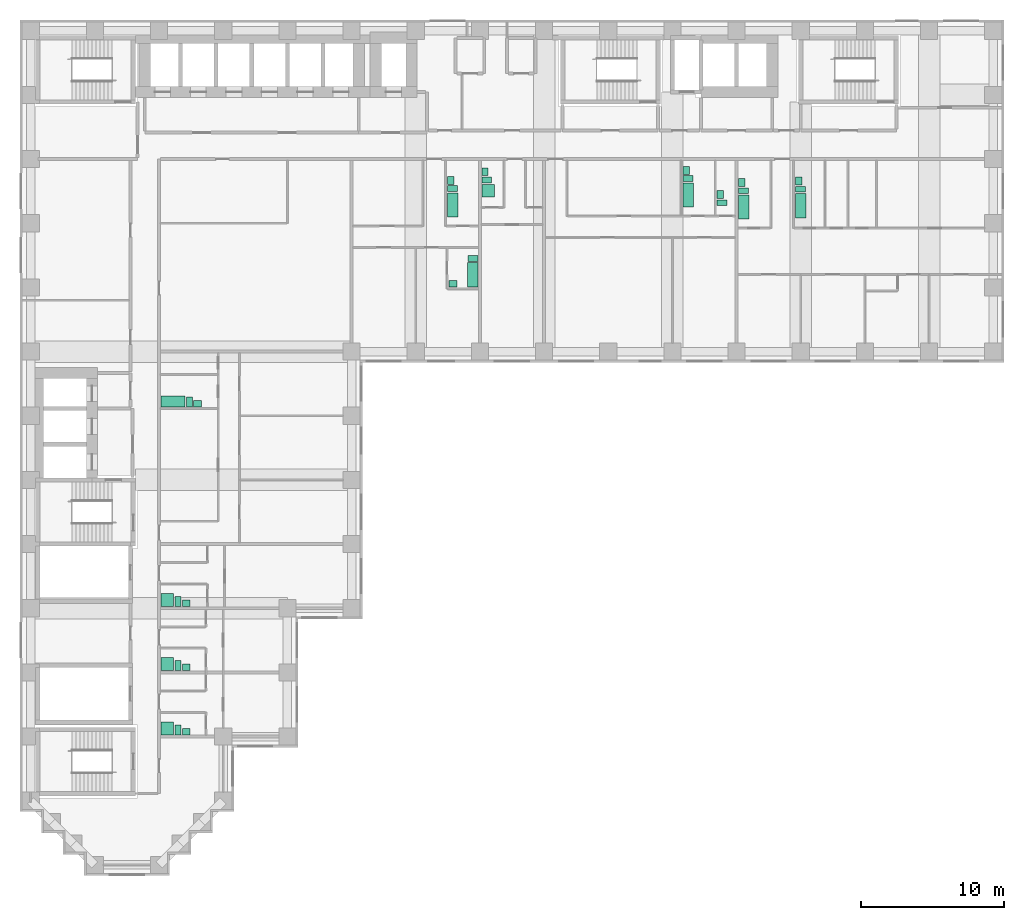
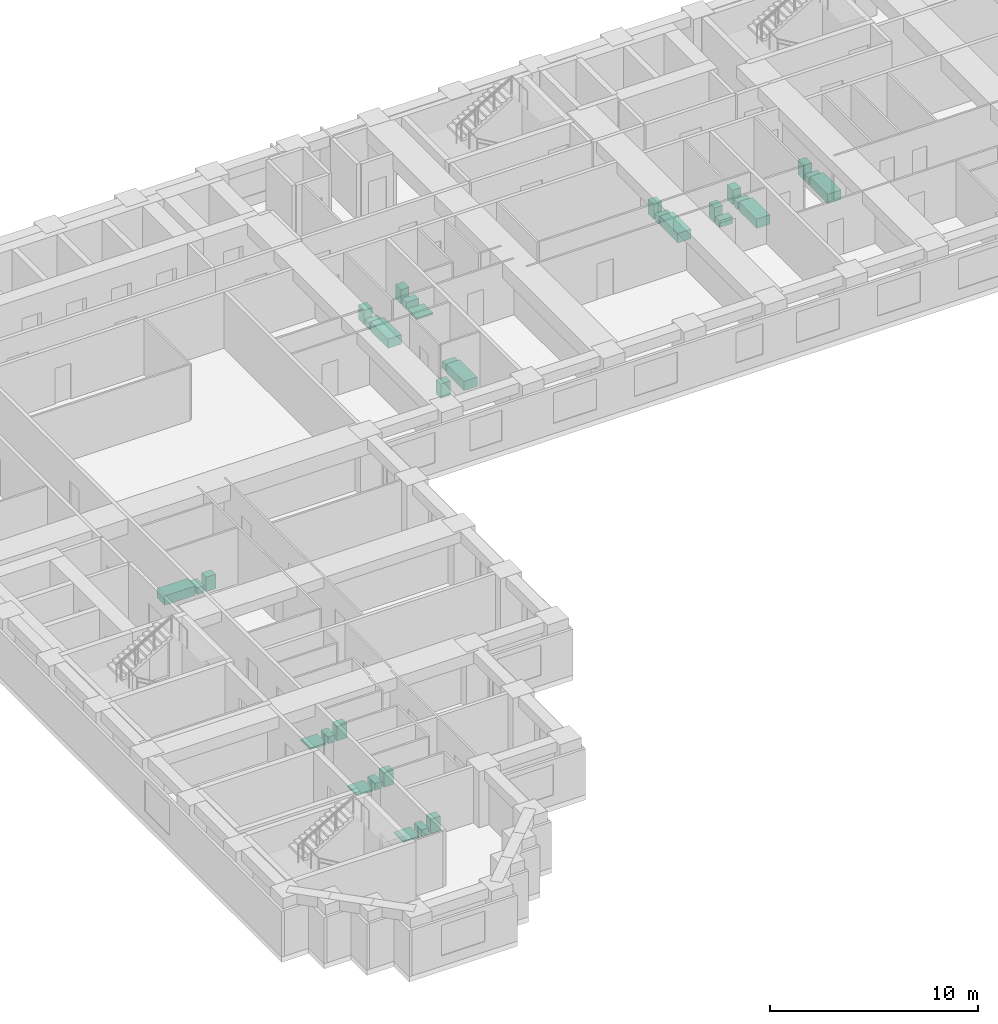
# One storey, part 11 of 11: 32 sanitary terminals.
"""IFC4 building model written with IfcOpenShell, lengths in metres."""

from ifc_helpers import new_model, si_unit, direction, frame, origin, origin_2d, place, context, subcontext, project, spatial, rectangle, extrude, material, type_object, element, save


model = new_model("IFC4")

# Units and contexts
model_context = context("Model", 3, precision=1e-05, world=origin(), true_north=direction((0.0, 1.0)))
body_context = subcontext(model_context, "Body", "Model", "MODEL_VIEW")
ifc_project = project(units=[si_unit("LENGTHUNIT", "METRE"), si_unit("AREAUNIT", "SQUARE_METRE"), si_unit("VOLUMEUNIT", "CUBIC_METRE"), si_unit("PLANEANGLEUNIT", "RADIAN"), si_unit("MASSUNIT", "GRAM", prefix="KILO")], contexts=[model_context])

# Site, building, storey
site_placement = place(None, origin())
site = spatial("IfcSite", under=ifc_project, at=site_placement, CompositionType="ELEMENT")
building_placement = place(site_placement, origin())
building = spatial("IfcBuilding", under=site, at=building_placement, Name="Firuza Court", CompositionType="ELEMENT")
storey_placement = place(building_placement, frame((0.0, 0.0, 79.39990234375)))
storey = spatial("IfcBuildingStorey", under=building, at=storey_placement, Name="L19", CompositionType="ELEMENT", Elevation=79.39990234375)

# Sanitary terminals
ifc_material_1 = material(Name="Vitreous china", Category="ceramic")
sanitary_terminal_type_1 = type_object("IfcSanitaryTerminalType", Name="Fixture Bath", PredefinedType="BATH", material=ifc_material_1)
for number, where, z_axis, x_axis, name in (
    (1, (29.60498046875, 46.280029296875, 0.0), (0.0, 0.0, 1.0), (1.0, 0.0, 0.0), "Bath"),
    (2, (30.9951171875, 41.3798828125, 0.0), (0.0, 0.0, 1.0), (1.0, 0.0, 0.0), "Bath"),
    (3, (46.10498046875, 46.97998046875, 0.0), (0.0, 0.0, 1.0), (1.0, 0.0, 0.0), "Bath"),
    (4, (50.0048828125, 46.1298828125, 0.0), (0.0, 0.0, 1.0), (1.0, 0.0, 0.0), "Bath"),
    (5, (54.0048828125, 46.22998046875, 0.0), (0.0, 0.0, 1.0), (1.0, 0.0, 0.0), "Bath"),
):
    element("IfcSanitaryTerminal", number, at=place(storey_placement, frame(where, z_axis=z_axis, x_axis=x_axis)), inside=storey, type_object=sanitary_terminal_type_1, Name=name, PredefinedType="BATH", context=body_context, shape_type="SweptSolid", body=[
        extrude(rectangle(XDim=0.75, YDim=1.699951171875, at=origin_2d()), origin(), (0.0, 0.0, 1.0), 0.550048828125),
    ])
sanitary_terminal_1_placement = place(storey_placement, frame((9.97998046875, 32.5048828125, 0.0), z_axis=(0.0, 0.0, 1.0), x_axis=(1.0, 0.0, 0.0)))
element("IfcSanitaryTerminal", 6, at=sanitary_terminal_1_placement, inside=storey, type_object=sanitary_terminal_type_1, Name="Bath", PredefinedType="BATH", context=body_context, shape_type="SweptSolid", body=[
    extrude(rectangle(XDim=1.699951171875, YDim=0.75, at=origin_2d()), origin(), (0.0, 0.0, 1.0), 0.550048828125),
])
ifc_material_2 = material(Name="Vitreous china", Category="ceramic")
sanitary_terminal_type_2 = type_object("IfcSanitaryTerminalType", Name="Fixture Shower tray", PredefinedType="SHOWER", material=ifc_material_2)
for number, where, z_axis, x_axis, name in (
    (7, (32.080078125, 47.280029296875, 0.0), (0.0, 0.0, 1.0), (1.0, 0.0, 0.0), "Shower tray"),
    (8, (9.580078125, 18.580078125, 0.0), (0.0, 0.0, 1.0), (1.0, 0.0, 0.0), "Shower tray"),
    (9, (9.580078125, 14.080078125, 0.0), (0.0, 0.0, 1.0), (1.0, 0.0, 0.0), "Shower tray"),
    (10, (9.580078125, 9.580078125, 0.0), (0.0, 0.0, 1.0), (1.0, 0.0, 0.0), "Shower tray"),
):
    element("IfcSanitaryTerminal", number, at=place(storey_placement, frame(where, z_axis=z_axis, x_axis=x_axis)), inside=storey, type_object=sanitary_terminal_type_2, Name=name, PredefinedType="SHOWER", context=body_context, shape_type="SweptSolid", body=[
        extrude(rectangle(XDim=0.89990234375, YDim=0.89990234375, at=origin_2d()), origin(), (0.0, 0.0, 1.0), 0.10009765625),
    ])
ifc_material_3 = material(Name="Vitreous china", Category="ceramic")
sanitary_terminal_type_3 = type_object("IfcSanitaryTerminalType", Name="Fixture WC pan", PredefinedType="TOILETPAN", material=ifc_material_3)
for number, where, z_axis, x_axis, name in (
    (11, (29.580078125, 47.429931640625, 0.000244140625), (0.0, 0.0, 1.0), (1.0, 0.0, 0.0), "WC pan"),
    (12, (31.02001953125, 42.530029296875, 0.000244140625), (0.0, 0.0, 1.0), (1.0, 0.0, 0.0), "WC pan"),
    (13, (31.97998046875, 48.030029296875, 0.000244140625), (0.0, 0.0, 1.0), (1.0, 0.0, 0.0), "WC pan"),
    (14, (46.080078125, 48.1298828125, 0.000244140625), (0.0, 0.0, 1.0), (1.0, 0.0, 0.0), "WC pan"),
    (15, (48.47998046875, 46.429931640625, 0.000244140625), (0.0, 0.0, 1.0), (1.0, 0.0, 0.0), "WC pan"),
    (16, (49.97998046875, 47.280029296875, 0.000244140625), (0.0, 0.0, 1.0), (1.0, 0.0, 0.0), "WC pan"),
    (17, (53.97998046875, 47.3798828125, 0.000244140625), (0.0, 0.0, 1.0), (1.0, 0.0, 0.0), "WC pan"),
):
    element("IfcSanitaryTerminal", number, at=place(storey_placement, frame(where, z_axis=z_axis, x_axis=x_axis)), inside=storey, type_object=sanitary_terminal_type_3, Name=name, PredefinedType="TOILETPAN", context=body_context, shape_type="SweptSolid", body=[
        extrude(rectangle(XDim=0.699951171875, YDim=0.39990234375, at=origin_2d()), origin(), (0.0, 0.0, 1.0), 0.39990234375),
    ])
for number, where, z_axis, x_axis, name in (
    (18, (11.1298828125, 32.47998046875, 0.000244140625), (0.0, 0.0, 1.0), (1.0, 0.0, 0.0), "WC pan"),
    (19, (10.330078125, 18.47998046875, 0.000244140625), (0.0, 0.0, 1.0), (1.0, 0.0, 0.0), "WC pan"),
    (20, (10.330078125, 13.97998046875, 0.000244140625), (0.0, 0.0, 1.0), (1.0, 0.0, 0.0), "WC pan"),
    (21, (10.330078125, 9.47998046875, 0.000244140625), (0.0, 0.0, 1.0), (1.0, 0.0, 0.0), "WC pan"),
):
    element("IfcSanitaryTerminal", number, at=place(storey_placement, frame(where, z_axis=z_axis, x_axis=x_axis)), inside=storey, type_object=sanitary_terminal_type_3, Name=name, PredefinedType="TOILETPAN", context=body_context, shape_type="SweptSolid", body=[
        extrude(rectangle(XDim=0.39990234375, YDim=0.699951171875, at=origin_2d()), origin(), (0.0, 0.0, 1.0), 0.39990234375),
    ])
ifc_material_4 = material(Name="Vitreous china", Category="ceramic")
sanitary_terminal_type_4 = type_object("IfcSanitaryTerminalType", Name="Fixture Washbasin", PredefinedType="WASHHANDBASIN", material=ifc_material_4)
sanitary_terminal_2_placement = place(storey_placement, frame((29.455078125, 48.0048828125, 0.0), z_axis=(0.0, 0.0, 1.0), x_axis=(1.0, 0.0, 0.0)))
element("IfcSanitaryTerminal", 22, at=sanitary_terminal_2_placement, inside=storey, type_object=sanitary_terminal_type_4, Name="Washbasin", PredefinedType="WASHHANDBASIN", context=body_context, shape_type="SweptSolid", body=[
    extrude(rectangle(XDim=0.449951171875, YDim=0.550048828125, at=origin_2d()), origin(), (0.0, 0.0, 1.0), 0.85009765625),
])
sanitary_terminal_3_placement = place(storey_placement, frame((29.60498046875, 40.7548828125, 0.0), z_axis=(0.0, 0.0, 1.0), x_axis=(1.0, 0.0, 0.0)))
element("IfcSanitaryTerminal", 23, at=sanitary_terminal_3_placement, inside=storey, type_object=sanitary_terminal_type_4, Name="Washbasin", PredefinedType="WASHHANDBASIN", context=body_context, shape_type="SweptSolid", body=[
    extrude(rectangle(XDim=0.550048828125, YDim=0.449951171875, at=origin_2d()), origin(), (0.0, 0.0, 1.0), 0.85009765625),
])
for number, where, z_axis, x_axis, name in (
    (24, (31.85498046875, 48.60498046875, 0.0), (0.0, 0.0, 1.0), (1.0, 0.0, 0.0), "Washbasin"),
    (25, (45.955078125, 48.705078125, 0.0), (0.0, 0.0, 1.0), (1.0, 0.0, 0.0), "Washbasin"),
    (26, (48.35498046875, 47.0048828125, 0.0), (0.0, 0.0, 1.0), (1.0, 0.0, 0.0), "Washbasin"),
    (27, (49.85498046875, 47.85498046875, 0.0), (0.0, 0.0, 1.0), (1.0, 0.0, 0.0), "Washbasin"),
    (28, (53.85498046875, 47.955078125, 0.0), (0.0, 0.0, 1.0), (1.0, 0.0, 0.0), "Washbasin"),
):
    element("IfcSanitaryTerminal", number, at=place(storey_placement, frame(where, z_axis=z_axis, x_axis=x_axis)), inside=storey, type_object=sanitary_terminal_type_4, Name=name, PredefinedType="WASHHANDBASIN", context=body_context, shape_type="SweptSolid", body=[
        extrude(rectangle(XDim=0.449951171875, YDim=0.550048828125, at=origin_2d()), origin(), (0.0, 0.0, 1.0), 0.85009765625),
    ])
for number, where, z_axis, x_axis, name in (
    (29, (11.705078125, 32.35498046875, 0.0), (0.0, 0.0, 1.0), (1.0, 0.0, 0.0), "Washbasin"),
    (30, (10.905029296875, 18.35498046875, 0.0), (0.0, 0.0, 1.0), (1.0, 0.0, 0.0), "Washbasin"),
    (31, (10.905029296875, 13.85498046875, 0.0), (0.0, 0.0, 1.0), (1.0, 0.0, 0.0), "Washbasin"),
    (32, (10.905029296875, 9.35498046875, 0.0), (0.0, 0.0, 1.0), (1.0, 0.0, 0.0), "Washbasin"),
):
    element("IfcSanitaryTerminal", number, at=place(storey_placement, frame(where, z_axis=z_axis, x_axis=x_axis)), inside=storey, type_object=sanitary_terminal_type_4, Name=name, PredefinedType="WASHHANDBASIN", context=body_context, shape_type="SweptSolid", body=[
        extrude(rectangle(XDim=0.550048828125, YDim=0.449951171875, at=origin_2d()), origin(), (0.0, 0.0, 1.0), 0.85009765625),
    ])

save(model, "model.ifc")
